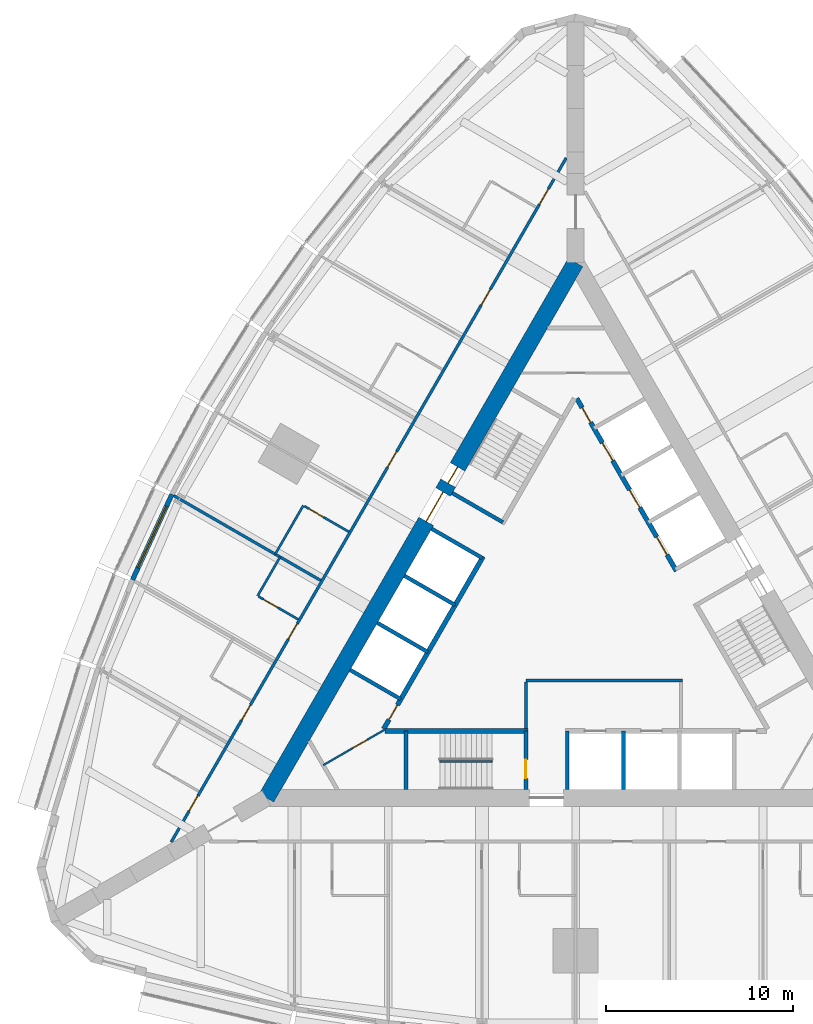
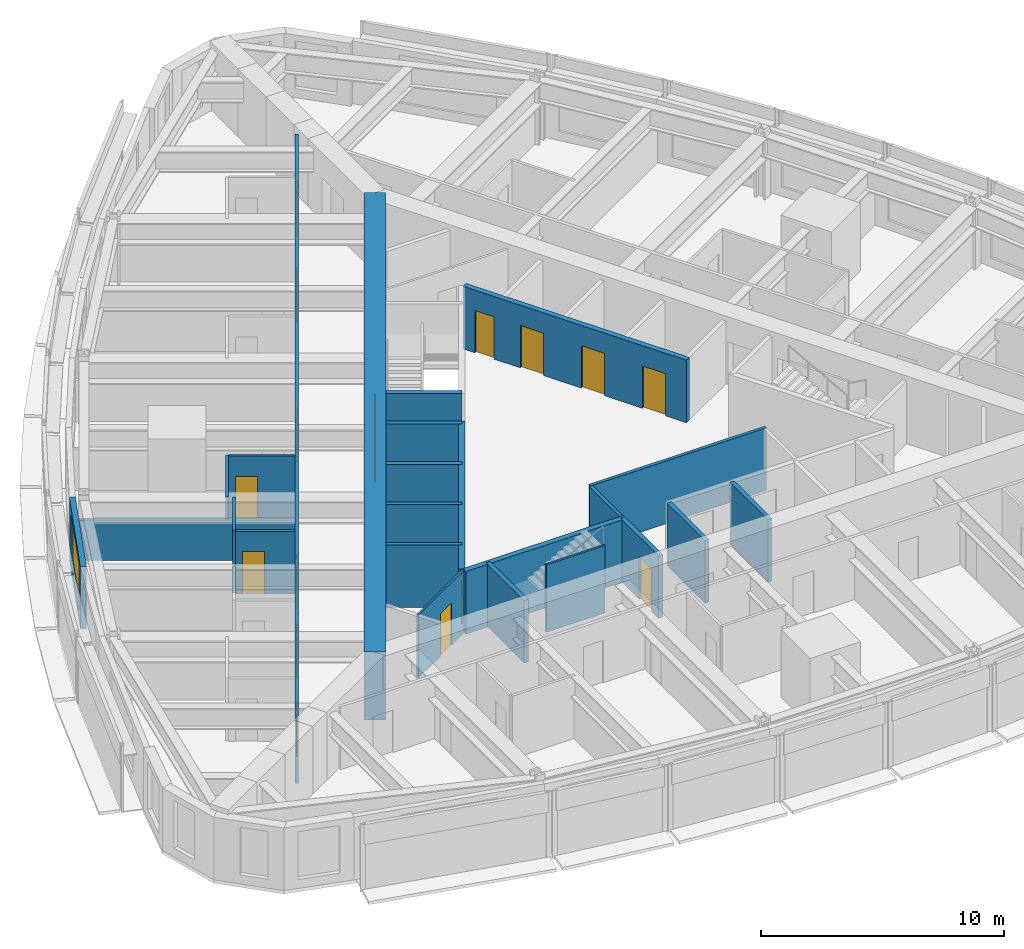
# One storey, part 9 of 14: 24 walls, 17 doors, 1 window, 18 openings.
"""IFC4 building model written with IfcOpenShell, lengths in metres."""

from ifc_helpers import new_model, si_unit, direction, frame, frame_2d, origin, place, context, subcontext, project, spatial, rectangle, extrude, material, layer, layer_set, type_object, element, fill, save


model = new_model("IFC4")

# Units and contexts
model_context = context("Model", 3, precision=1e-05, world=origin(), true_north=direction((0.0, 1.0)))
body_context = subcontext(model_context, "Body", "Model", "MODEL_VIEW")
ifc_project = project(units=[si_unit("LENGTHUNIT", "METRE"), si_unit("AREAUNIT", "SQUARE_METRE"), si_unit("VOLUMEUNIT", "CUBIC_METRE"), si_unit("PLANEANGLEUNIT", "RADIAN"), si_unit("MASSUNIT", "GRAM", prefix="KILO")], contexts=[model_context])

# Site, building, storey
site_placement = place(None, origin())
site = spatial("IfcSite", under=ifc_project, at=site_placement, CompositionType="ELEMENT")
building_placement = place(site_placement, origin())
building = spatial("IfcBuilding", under=site, at=building_placement, Name="Trikona Tower", CompositionType="ELEMENT")
storey_placement = place(building_placement, frame((0.0, 0.0, 99.89990234375)))
storey = spatial("IfcBuildingStorey", under=building, at=storey_placement, Name="L26", CompositionType="ELEMENT", Elevation=99.89990234375)

# Wall
ifc_material_1 = material(Name="Metal stud and cement board", Category="gypsum")
ifc_layer_1 = layer(ifc_material_1, 0.1201171875)
ifc_layer_set_1 = layer_set([ifc_layer_1], Name="Bathroom wall 120")
wall_type_1 = type_object("IfcWallType", Name="Bathroom wall 120", PredefinedType="PLUMBINGWALL", material=ifc_layer_set_1)
wall_1_placement = place(storey_placement, frame((-14.53271484375, 6.0810546875, 0.0), z_axis=(0.0, 0.0, 1.0), x_axis=(-0.499990139034, -0.866031096941, 0.0)))
element("IfcWall", 1, at=wall_1_placement, inside=storey, type_object=wall_type_1, Name="Bathroom wall 2611.1", PredefinedType="PLUMBINGWALL", context=body_context, shape_type="SweptSolid", body=[
    extrude(rectangle(XDim=3.0, YDim=0.1201171875, at=frame_2d((1.5, 0.0))), origin(), (0.0, 0.0, 1.0), 3.150146484375),
])

# Wall, opening, door
wall_2_placement = place(storey_placement, frame((-12.10791015625, 4.68115234375, 0.0), z_axis=(0.0, 0.0, 1.0), x_axis=(-0.866035715982, 0.499982138324, 0.0)))
wall_2 = element("IfcWall", 2, at=wall_2_placement, inside=storey, type_object=wall_type_1, Name="Bathroom wall 2611.1", PredefinedType="PLUMBINGWALL", context=body_context, shape_type="SweptSolid", body=[
    extrude(rectangle(XDim=2.73974609375, YDim=0.1201171875, at=frame_2d((1.369873046875, 0.0))), origin(), (0.0, 0.0, 1.0), 3.150146484375),
])
opening_1_placement = place(wall_2_placement, frame((1.550048828125, 0.0, 0.0)))
opening_1 = element("IfcOpeningElement", 3, at=opening_1_placement, cuts=wall_2, Name="Opening D2", PredefinedType="OPENING", context=body_context, shape_type="SweptSolid", body=[
    extrude(rectangle(XDim=0.89990234375, YDim=2.1298828125, at=frame_2d((0.449951171875, 1.06494140625))), frame((0.0, 0.070068359375, 0.0), z_axis=(0.0, -1.0, 0.0), x_axis=(1.0, 0.0, 0.0)), (0.0, 0.0, 1.0), 0.14013671875),
])
ifc_material_2 = material(Name="Steel door frame with solid-core timber leaf", Category="steel")
door_type_1 = type_object("IfcDoorType", Name="Bathroom door 900x2130", OperationType="SLIDING_TO_LEFT", PredefinedType="DOOR", material=ifc_material_2)
door_1_placement = place(opening_1_placement, origin())
door_1 = element("IfcDoor", 4, at=door_1_placement, inside=storey, type_object=door_type_1, Name="Bathroom door 2611.1", OperationType="SLIDING_TO_LEFT", OverallHeight=2.1298828125, OverallWidth=0.89990234375, PredefinedType="DOOR", context=body_context, shape_type="SweptSolid", body=[
    extrude(rectangle(XDim=0.89990234375, YDim=2.1298828125, at=frame_2d((0.449951171875, 1.06494140625))), frame((0.0, 0.02490234375, 0.0), z_axis=(0.0, -1.0, 0.0), x_axis=(1.0, 0.0, 0.0)), (0.0, 0.0, 1.0), 0.050048828125),
])
fill(opening_1, door_1)

# Wall
wall_3_placement = place(storey_placement, frame((-15.77294921875, 3.3330078125, 0.0), z_axis=(0.0, 0.0, 1.0), x_axis=(-0.500001309137, -0.866024647952, 0.0)))
element("IfcWall", 5, at=wall_3_placement, inside=storey, type_object=wall_type_1, Name="Bathroom wall 2612", PredefinedType="PLUMBINGWALL", context=body_context, shape_type="SweptSolid", body=[
    extrude(rectangle(XDim=2.39990234375, YDim=0.1201171875, at=frame_2d((1.199951171875, 0.0))), origin(), (0.0, 0.0, 1.0), 3.150146484375),
])

# Wall, opening, door
wall_4_placement = place(storey_placement, frame((-14.807861328125, 0.004638671875, 0.0), z_axis=(0.0, 0.0, 1.0), x_axis=(-0.866023955769, 0.500002508028, 0.0)))
wall_4 = element("IfcWall", 6, at=wall_4_placement, inside=storey, type_object=wall_type_1, Name="Bathroom wall 2612", PredefinedType="PLUMBINGWALL", context=body_context, shape_type="SweptSolid", body=[
    extrude(rectangle(XDim=2.43994140625, YDim=0.1201171875, at=frame_2d((1.219970703125, 0.0))), origin(), (0.0, 0.0, 1.0), 3.150146484375),
])
opening_2_placement = place(wall_4_placement, frame((1.25, 0.0, 0.0)))
opening_2 = element("IfcOpeningElement", 7, at=opening_2_placement, cuts=wall_4, Name="Opening D2", PredefinedType="OPENING", context=body_context, shape_type="SweptSolid", body=[
    extrude(rectangle(XDim=0.89990234375, YDim=2.1298828125, at=frame_2d((0.449951171875, 1.06494140625))), frame((0.0, 0.070068359375, 0.0), z_axis=(0.0, -1.0, 0.0), x_axis=(1.0, 0.0, 0.0)), (0.0, 0.0, 1.0), 0.14013671875),
])
door_2_placement = place(opening_2_placement, origin())
door_2 = element("IfcDoor", 8, at=door_2_placement, inside=storey, type_object=door_type_1, Name="Bathroom door 2612", OperationType="SLIDING_TO_LEFT", OverallHeight=2.1298828125, OverallWidth=0.89990234375, PredefinedType="DOOR", context=body_context, shape_type="SweptSolid", body=[
    extrude(rectangle(XDim=0.89990234375, YDim=2.1298828125, at=frame_2d((0.449951171875, 1.06494140625))), frame((0.0, 0.02490234375, 0.0), z_axis=(0.0, -1.0, 0.0), x_axis=(1.0, 0.0, 0.0)), (0.0, 0.0, 1.0), 0.050048828125),
])
fill(opening_2, door_2)

# Wall, openings, doors
ifc_material_3 = material(Name="Concrete f'c 10000 psi", Category="concrete")
ifc_layer_2 = layer(ifc_material_3, 0.89990234375)
ifc_layer_set_2 = layer_set([ifc_layer_2], Name="Core wall 900")
wall_type_2 = type_object("IfcWallType", Name="Core wall 900", PredefinedType="SHEAR", material=ifc_layer_set_2)
wall_5_placement = place(storey_placement, frame((0.0, 19.052490234375, 0.0), z_axis=(0.0, 0.0, 1.0), x_axis=(-0.499999749417, -0.866025548458, 0.0)))
wall_5 = element("IfcWall", 9, at=wall_5_placement, inside=storey, type_object=wall_type_2, Name="Core wall C", PredefinedType="SHEAR", context=body_context, shape_type="SweptSolid", body=[
    extrude(rectangle(XDim=33.0, YDim=0.89990234375, at=frame_2d((16.5, 0.0))), origin(), (0.0, 0.0, 1.0), 3.400146484375),
])
opening_3_placement = place(wall_5_placement, frame((14.14990234375, 0.0, 0.0)))
opening_3 = element("IfcOpeningElement", 10, at=opening_3_placement, cuts=wall_5, Name="Opening D6", PredefinedType="OPENING", context=body_context, shape_type="SweptSolid", body=[
    extrude(rectangle(XDim=1.800048828125, YDim=2.1298828125, at=frame_2d((0.89990234375, 1.06494140625))), frame((0.0, 0.4599609375, 0.0), z_axis=(0.0, -1.0, 0.0), x_axis=(1.0, 0.0, 0.0)), (0.0, 0.0, 1.0), 0.919921875),
])
opening_4_placement = place(wall_5_placement, frame((12.60009765625, 0.0, 0.0)))
opening_4 = element("IfcOpeningElement", 11, at=opening_4_placement, cuts=wall_5, Name="Opening D5", PredefinedType="OPENING", context=body_context, shape_type="SweptSolid", body=[
    extrude(rectangle(XDim=1.0, YDim=2.1298828125, at=frame_2d((0.5, 1.06494140625))), frame((0.0, 0.4599609375, 0.0), z_axis=(0.0, -1.0, 0.0), x_axis=(1.0, 0.0, 0.0)), (0.0, 0.0, 1.0), 0.919921875),
])
ifc_material_4 = material(Name="Hollow metal door and frame", Category="steel")
door_type_2 = type_object("IfcDoorType", Name="Lobby door pair 1800x2130", OperationType="DOUBLE_DOOR_SINGLE_SWING", PredefinedType="DOOR", material=ifc_material_4)
door_3_placement = place(opening_3_placement, origin())
door_3 = element("IfcDoor", 12, at=door_3_placement, inside=storey, type_object=door_type_2, Name="Lift lobby door C", OperationType="DOUBLE_DOOR_SINGLE_SWING", OverallHeight=2.1298828125, OverallWidth=1.800048828125, PredefinedType="DOOR", context=body_context, shape_type="SweptSolid", body=[
    extrude(rectangle(XDim=1.800048828125, YDim=2.1298828125, at=frame_2d((0.89990234375, 1.06494140625))), frame((0.0, 0.02490234375, 0.0), z_axis=(0.0, -1.0, 0.0), x_axis=(1.0, 0.0, 0.0)), (0.0, 0.0, 1.0), 0.050048828125),
])
fill(opening_3, door_3)
ifc_material_5 = material(Name="Hollow metal door and frame", Category="steel")
door_type_3 = type_object("IfcDoorType", Name="Stair door 1000x2130", OperationType="SINGLE_SWING_LEFT", PredefinedType="DOOR", material=ifc_material_5)
door_4_placement = place(opening_4_placement, origin())
door_4 = element("IfcDoor", 13, at=door_4_placement, inside=storey, type_object=door_type_3, Name="Stair C door", OperationType="SINGLE_SWING_RIGHT", OverallHeight=2.1298828125, OverallWidth=1.0, PredefinedType="DOOR", context=body_context, shape_type="SweptSolid", body=[
    extrude(rectangle(XDim=1.0, YDim=2.1298828125, at=frame_2d((0.5, 1.06494140625))), frame((0.0, 0.02490234375, 0.0), z_axis=(0.0, -1.0, 0.0), x_axis=(1.0, 0.0, 0.0)), (0.0, 0.0, 1.0), 0.050048828125),
])
fill(opening_4, door_4)

ifc_material_6 = material(Name="Metal stud and gypsum board, 1-hour", Category="gypsum")
ifc_layer_3 = layer(ifc_material_6, 0.14990234375)
ifc_layer_set_3 = layer_set([ifc_layer_3], Name="Corridor wall 150")
wall_type_3 = type_object("IfcWallType", Name="Corridor wall 150", PredefinedType="PARTITIONING", material=ifc_layer_set_3)
wall_6_placement = place(storey_placement, frame((-0.5, 24.636474609375, 0.0), z_axis=(0.0, 0.0, 1.0), x_axis=(-0.500001915564, -0.86602429783, 0.0)))
wall_6 = element("IfcWall", 14, at=wall_6_placement, inside=storey, type_object=wall_type_3, Name="Corridor wall L26-3", PredefinedType="PARTITIONING", context=body_context, shape_type="SweptSolid", body=[
    extrude(rectangle(XDim=42.171630859375, YDim=0.14990234375, at=frame_2d((21.0859375, 0.0))), origin(), (0.0, 0.0, 1.0), 3.150146484375),
])
opening_5_placement = place(wall_6_placement, frame((1.910888671875, 0.0, 0.0)))
opening_5 = element("IfcOpeningElement", 15, at=opening_5_placement, cuts=wall_6, Name="Opening D1", PredefinedType="OPENING", context=body_context, shape_type="SweptSolid", body=[
    extrude(rectangle(XDim=0.949951171875, YDim=2.1298828125, at=frame_2d((0.47509765625, 1.06494140625))), frame((0.0, 0.0849609375, 0.0), z_axis=(0.0, -1.0, 0.0), x_axis=(1.0, 0.0, 0.0)), (0.0, 0.0, 1.0), 0.169921875),
])
opening_6_placement = place(wall_6_placement, frame((8.11083984375, 0.0, 0.0)))
opening_6 = element("IfcOpeningElement", 16, at=opening_6_placement, cuts=wall_6, Name="Opening D1", PredefinedType="OPENING", context=body_context, shape_type="SweptSolid", body=[
    extrude(rectangle(XDim=0.949951171875, YDim=2.1298828125, at=frame_2d((0.47509765625, 1.06494140625))), frame((0.0, 0.0849609375, 0.0), z_axis=(0.0, -1.0, 0.0), x_axis=(1.0, 0.0, 0.0)), (0.0, 0.0, 1.0), 0.169921875),
])
opening_7_placement = place(wall_6_placement, frame((18.11083984375, 0.0, 0.0)))
opening_7 = element("IfcOpeningElement", 17, at=opening_7_placement, cuts=wall_6, Name="Opening D1", PredefinedType="OPENING", context=body_context, shape_type="SweptSolid", body=[
    extrude(rectangle(XDim=0.949951171875, YDim=2.1298828125, at=frame_2d((0.47509765625, 1.06494140625))), frame((0.0, 0.0849609375, 0.0), z_axis=(0.0, -1.0, 0.0), x_axis=(1.0, 0.0, 0.0)), (0.0, 0.0, 1.0), 0.169921875),
])
opening_8_placement = place(wall_6_placement, frame((28.7109375, 0.0, 0.0)))
opening_8 = element("IfcOpeningElement", 18, at=opening_8_placement, cuts=wall_6, Name="Opening D1", PredefinedType="OPENING", context=body_context, shape_type="SweptSolid", body=[
    extrude(rectangle(XDim=0.949951171875, YDim=2.1298828125, at=frame_2d((0.47509765625, 1.06494140625))), frame((0.0, 0.0849609375, 0.0), z_axis=(0.0, -1.0, 0.0), x_axis=(1.0, 0.0, 0.0)), (0.0, 0.0, 1.0), 0.169921875),
])
opening_9_placement = place(wall_6_placement, frame((33.7109375, 0.0, 0.0)))
opening_9 = element("IfcOpeningElement", 19, at=opening_9_placement, cuts=wall_6, Name="Opening D1", PredefinedType="OPENING", context=body_context, shape_type="SweptSolid", body=[
    extrude(rectangle(XDim=0.949951171875, YDim=2.1298828125, at=frame_2d((0.47509765625, 1.06494140625))), frame((0.0, 0.0849609375, 0.0), z_axis=(0.0, -1.0, 0.0), x_axis=(1.0, 0.0, 0.0)), (0.0, 0.0, 1.0), 0.169921875),
])
opening_10_placement = place(wall_6_placement, frame((39.310791015625, 0.0, 0.0)))
opening_10 = element("IfcOpeningElement", 20, at=opening_10_placement, cuts=wall_6, Name="Opening D1", PredefinedType="OPENING", context=body_context, shape_type="SweptSolid", body=[
    extrude(rectangle(XDim=0.949951171875, YDim=2.1298828125, at=frame_2d((0.47509765625, 1.06494140625))), frame((0.0, 0.0849609375, 0.0), z_axis=(0.0, -1.0, 0.0), x_axis=(1.0, 0.0, 0.0)), (0.0, 0.0, 1.0), 0.169921875),
])
ifc_material_7 = material(Name="Steel door frame with solid-core timber leaf", Category="steel")
door_type_4 = type_object("IfcDoorType", Name="Guest room door 950x2130", OperationType="SINGLE_SWING_LEFT", PredefinedType="DOOR", material=ifc_material_7)
door_5_placement = place(opening_5_placement, origin())
door_5 = element("IfcDoor", 21, at=door_5_placement, inside=storey, type_object=door_type_4, Name="Room door 2609", OperationType="SINGLE_SWING_LEFT", OverallHeight=2.1298828125, OverallWidth=0.949951171875, PredefinedType="DOOR", context=body_context, shape_type="SweptSolid", body=[
    extrude(rectangle(XDim=0.949951171875, YDim=2.1298828125, at=frame_2d((0.47509765625, 1.06494140625))), frame((0.0, 0.02490234375, 0.0), z_axis=(0.0, -1.0, 0.0), x_axis=(1.0, 0.0, 0.0)), (0.0, 0.0, 1.0), 0.050048828125),
])
fill(opening_5, door_5)
door_6_placement = place(opening_6_placement, origin())
door_6 = element("IfcDoor", 22, at=door_6_placement, inside=storey, type_object=door_type_4, Name="Room door 2610", OperationType="SINGLE_SWING_RIGHT", OverallHeight=2.1298828125, OverallWidth=0.949951171875, PredefinedType="DOOR", context=body_context, shape_type="SweptSolid", body=[
    extrude(rectangle(XDim=0.949951171875, YDim=2.1298828125, at=frame_2d((0.47509765625, 1.06494140625))), frame((0.0, 0.02490234375, 0.0), z_axis=(0.0, -1.0, 0.0), x_axis=(1.0, 0.0, 0.0)), (0.0, 0.0, 1.0), 0.050048828125),
])
fill(opening_6, door_6)
door_7_placement = place(opening_7_placement, origin())
door_7 = element("IfcDoor", 23, at=door_7_placement, inside=storey, type_object=door_type_4, Name="Room door 2611", OperationType="SINGLE_SWING_LEFT", OverallHeight=2.1298828125, OverallWidth=0.949951171875, PredefinedType="DOOR", context=body_context, shape_type="SweptSolid", body=[
    extrude(rectangle(XDim=0.949951171875, YDim=2.1298828125, at=frame_2d((0.47509765625, 1.06494140625))), frame((0.0, 0.02490234375, 0.0), z_axis=(0.0, -1.0, 0.0), x_axis=(1.0, 0.0, 0.0)), (0.0, 0.0, 1.0), 0.050048828125),
])
fill(opening_7, door_7)
door_8_placement = place(opening_8_placement, origin())
door_8 = element("IfcDoor", 24, at=door_8_placement, inside=storey, type_object=door_type_4, Name="Room door 2612", OperationType="SINGLE_SWING_RIGHT", OverallHeight=2.1298828125, OverallWidth=0.949951171875, PredefinedType="DOOR", context=body_context, shape_type="SweptSolid", body=[
    extrude(rectangle(XDim=0.949951171875, YDim=2.1298828125, at=frame_2d((0.47509765625, 1.06494140625))), frame((0.0, 0.02490234375, 0.0), z_axis=(0.0, -1.0, 0.0), x_axis=(1.0, 0.0, 0.0)), (0.0, 0.0, 1.0), 0.050048828125),
])
fill(opening_8, door_8)
door_9_placement = place(opening_9_placement, origin())
door_9 = element("IfcDoor", 25, at=door_9_placement, inside=storey, type_object=door_type_4, Name="Room door 2613", OperationType="SINGLE_SWING_LEFT", OverallHeight=2.1298828125, OverallWidth=0.949951171875, PredefinedType="DOOR", context=body_context, shape_type="SweptSolid", body=[
    extrude(rectangle(XDim=0.949951171875, YDim=2.1298828125, at=frame_2d((0.47509765625, 1.06494140625))), frame((0.0, 0.02490234375, 0.0), z_axis=(0.0, -1.0, 0.0), x_axis=(1.0, 0.0, 0.0)), (0.0, 0.0, 1.0), 0.050048828125),
])
fill(opening_9, door_9)
door_10_placement = place(opening_10_placement, origin())
door_10 = element("IfcDoor", 26, at=door_10_placement, inside=storey, type_object=door_type_4, Name="Room door 2614", OperationType="SINGLE_SWING_RIGHT", OverallHeight=2.1298828125, OverallWidth=0.949951171875, PredefinedType="DOOR", context=body_context, shape_type="SweptSolid", body=[
    extrude(rectangle(XDim=0.949951171875, YDim=2.1298828125, at=frame_2d((0.47509765625, 1.06494140625))), frame((0.0, 0.02490234375, 0.0), z_axis=(0.0, -1.0, 0.0), x_axis=(1.0, 0.0, 0.0)), (0.0, 0.0, 1.0), 0.050048828125),
])
fill(opening_10, door_10)

# Wall
ifc_material_8 = material(Name="Concrete f'c 8000 psi", Category="concrete")
ifc_layer_4 = layer(ifc_material_8, 0.25)
ifc_layer_set_4 = layer_set([ifc_layer_4], Name="Hub wall 250")
wall_type_4 = type_object("IfcWallType", Name="Hub wall 250", PredefinedType="SOLIDWALL", material=ifc_layer_set_4)
wall_7_placement = place(storey_placement, frame((-10.182861328125, -5.951416015625, 0.0), z_axis=(0.0, 0.0, 1.0), x_axis=(1.0, 0.0, 0.0)))
element("IfcWall", 27, at=wall_7_placement, inside=storey, type_object=wall_type_4, Name="Lift lobby wall A1", PredefinedType="SOLIDWALL", context=body_context, shape_type="SweptSolid", body=[
    extrude(rectangle(XDim=7.6328125, YDim=0.25, at=frame_2d((3.81640625, 0.0))), origin(), (0.0, 0.0, 1.0), 3.150146484375),
])

# Wall, openings, doors
wall_8_placement = place(storey_placement, frame((5.37890625, 2.5859375, 0.0), z_axis=(0.0, 0.0, 1.0), x_axis=(-0.500001375892, 0.866024609411, 0.0)))
wall_8 = element("IfcWall", 28, at=wall_8_placement, inside=storey, type_object=wall_type_4, Name="Lift lobby wall B2", PredefinedType="SOLIDWALL", context=body_context, shape_type="SweptSolid", body=[
    extrude(rectangle(XDim=10.6328125, YDim=0.25, at=frame_2d((5.31640625, 0.0))), origin(), (0.0, 0.0, 1.0), 3.150146484375),
])
opening_11_placement = place(wall_8_placement, frame((9.1640625, 0.0, 0.0)))
opening_11 = element("IfcOpeningElement", 29, at=opening_11_placement, cuts=wall_8, Name="Opening D14", PredefinedType="OPENING", context=body_context, shape_type="SweptSolid", body=[
    extrude(rectangle(XDim=0.89990234375, YDim=2.1298828125, at=frame_2d((0.449951171875, 1.06494140625))), frame((0.0, 0.135009765625, 0.0), z_axis=(0.0, -1.0, 0.0), x_axis=(1.0, 0.0, 0.0)), (0.0, 0.0, 1.0), 0.27001953125),
])
opening_12_placement = place(wall_8_placement, frame((1.0, 0.0, 0.0)))
opening_12 = element("IfcOpeningElement", 30, at=opening_12_placement, cuts=wall_8, Name="Opening LD", PredefinedType="OPENING", context=body_context, shape_type="SweptSolid", body=[
    extrude(rectangle(XDim=1.10009765625, YDim=2.1298828125, at=frame_2d((0.550048828125, 1.06494140625))), frame((0.0, 0.135009765625, 0.0), z_axis=(0.0, -1.0, 0.0), x_axis=(1.0, 0.0, 0.0)), (0.0, 0.0, 1.0), 0.27001953125),
])
opening_13_placement = place(wall_8_placement, frame((3.89990234375, 0.0, 0.0)))
opening_13 = element("IfcOpeningElement", 31, at=opening_13_placement, cuts=wall_8, Name="Opening LD", PredefinedType="OPENING", context=body_context, shape_type="SweptSolid", body=[
    extrude(rectangle(XDim=1.10009765625, YDim=2.1298828125, at=frame_2d((0.550048828125, 1.06494140625))), frame((0.0, 0.135009765625, 0.0), z_axis=(0.0, -1.0, 0.0), x_axis=(1.0, 0.0, 0.0)), (0.0, 0.0, 1.0), 0.27001953125),
])
opening_14_placement = place(wall_8_placement, frame((6.800048828125, 0.0, 0.0)))
opening_14 = element("IfcOpeningElement", 32, at=opening_14_placement, cuts=wall_8, Name="Opening LD", PredefinedType="OPENING", context=body_context, shape_type="SweptSolid", body=[
    extrude(rectangle(XDim=1.10009765625, YDim=2.1298828125, at=frame_2d((0.550048828125, 1.06494140625))), frame((0.0, 0.135009765625, 0.0), z_axis=(0.0, -1.0, 0.0), x_axis=(1.0, 0.0, 0.0)), (0.0, 0.0, 1.0), 0.27001953125),
])
ifc_material_9 = material(Name="Stainless steel lift landing door", Category="steel")
door_type_5 = type_object("IfcDoorType", Name="Lift landing door 1100x2130", OperationType="DOUBLE_DOOR_SLIDING", PredefinedType="USERDEFINED", material=ifc_material_9)
door_11_placement = place(opening_12_placement, origin())
door_11 = element("IfcDoor", 33, at=door_11_placement, inside=storey, type_object=door_type_5, Name="Lift landing door L1-1", ObjectType="LIFT LANDING DOOR", OperationType="DOUBLE_DOOR_SLIDING", OverallHeight=2.1298828125, OverallWidth=1.10009765625, PredefinedType="USERDEFINED", context=body_context, shape_type="SweptSolid", body=[
    extrude(rectangle(XDim=1.10009765625, YDim=2.1298828125, at=frame_2d((0.550048828125, 1.06494140625))), frame((0.0, 0.02490234375, 0.0), z_axis=(0.0, -1.0, 0.0), x_axis=(1.0, 0.0, 0.0)), (0.0, 0.0, 1.0), 0.050048828125),
])
fill(opening_12, door_11)
door_12_placement = place(opening_13_placement, origin())
door_12 = element("IfcDoor", 34, at=door_12_placement, inside=storey, type_object=door_type_5, Name="Lift landing door L1-2", ObjectType="LIFT LANDING DOOR", OperationType="DOUBLE_DOOR_SLIDING", OverallHeight=2.1298828125, OverallWidth=1.10009765625, PredefinedType="USERDEFINED", context=body_context, shape_type="SweptSolid", body=[
    extrude(rectangle(XDim=1.10009765625, YDim=2.1298828125, at=frame_2d((0.550048828125, 1.06494140625))), frame((0.0, 0.02490234375, 0.0), z_axis=(0.0, -1.0, 0.0), x_axis=(1.0, 0.0, 0.0)), (0.0, 0.0, 1.0), 0.050048828125),
])
fill(opening_13, door_12)
door_13_placement = place(opening_14_placement, origin())
door_13 = element("IfcDoor", 35, at=door_13_placement, inside=storey, type_object=door_type_5, Name="Lift landing door L1-3", ObjectType="LIFT LANDING DOOR", OperationType="DOUBLE_DOOR_SLIDING", OverallHeight=2.1298828125, OverallWidth=1.10009765625, PredefinedType="USERDEFINED", context=body_context, shape_type="SweptSolid", body=[
    extrude(rectangle(XDim=1.10009765625, YDim=2.1298828125, at=frame_2d((0.550048828125, 1.06494140625))), frame((0.0, 0.02490234375, 0.0), z_axis=(0.0, -1.0, 0.0), x_axis=(1.0, 0.0, 0.0)), (0.0, 0.0, 1.0), 0.050048828125),
])
fill(opening_14, door_13)
ifc_material_10 = material(Name="Hollow metal door and frame", Category="steel")
door_type_6 = type_object("IfcDoorType", Name="Service room door 900x2130", OperationType="SINGLE_SWING_LEFT", PredefinedType="DOOR", material=ifc_material_10)
door_14_placement = place(opening_11_placement, origin())
door_14 = element("IfcDoor", 36, at=door_14_placement, inside=storey, type_object=door_type_6, Name="Door Ice and vending ICE", OperationType="SINGLE_SWING_RIGHT", OverallHeight=2.1298828125, OverallWidth=0.89990234375, PredefinedType="DOOR", context=body_context, shape_type="SweptSolid", body=[
    extrude(rectangle(XDim=0.89990234375, YDim=2.1298828125, at=frame_2d((0.449951171875, 1.06494140625))), frame((0.0, 0.02490234375, 0.0), z_axis=(0.0, -1.0, 0.0), x_axis=(1.0, 0.0, 0.0)), (0.0, 0.0, 1.0), 0.050048828125),
])
fill(opening_11, door_14)

# Wall, opening, door
wall_9_placement = place(storey_placement, frame((-4.928955078125, 3.365478515625, 0.0), z_axis=(0.0, 0.0, 1.0), x_axis=(-0.499991433582, -0.866030349552, 0.0)))
wall_9 = element("IfcWall", 37, at=wall_9_placement, inside=storey, type_object=wall_type_4, Name="Lift lobby wall C2", PredefinedType="SOLIDWALL", context=body_context, shape_type="SweptSolid", body=[
    extrude(rectangle(XDim=10.633056640625, YDim=0.25, at=frame_2d((5.31640625, 0.0))), origin(), (0.0, 0.0, 1.0), 3.150146484375),
])
opening_15_placement = place(wall_9_placement, frame((9.1640625, 0.0, 0.0)))
opening_15 = element("IfcOpeningElement", 38, at=opening_15_placement, cuts=wall_9, Name="Opening D14", PredefinedType="OPENING", context=body_context, shape_type="SweptSolid", body=[
    extrude(rectangle(XDim=0.89990234375, YDim=2.1298828125, at=frame_2d((0.449951171875, 1.06494140625))), frame((0.0, 0.135009765625, 0.0), z_axis=(0.0, -1.0, 0.0), x_axis=(1.0, 0.0, 0.0)), (0.0, 0.0, 1.0), 0.27001953125),
])
door_15_placement = place(opening_15_placement, origin())
door_15 = element("IfcDoor", 39, at=door_15_placement, inside=storey, type_object=door_type_6, Name="Door Linen store LIN", OperationType="SINGLE_SWING_RIGHT", OverallHeight=2.1298828125, OverallWidth=0.89990234375, PredefinedType="DOOR", context=body_context, shape_type="SweptSolid", body=[
    extrude(rectangle(XDim=0.89990234375, YDim=2.1298828125, at=frame_2d((0.449951171875, 1.06494140625))), frame((0.0, 0.02490234375, 0.0), z_axis=(0.0, -1.0, 0.0), x_axis=(1.0, 0.0, 0.0)), (0.0, 0.0, 1.0), 0.050048828125),
])
fill(opening_15, door_15)

# Wall, opening, window
ifc_material_11 = material(Name="Insulated precast concrete spandrel panel", Category="concrete")
ifc_layer_5 = layer(ifc_material_11, 0.25)
ifc_layer_set_5 = layer_set([ifc_layer_5], Name="Inner skin wall 250")
wall_type_5 = type_object("IfcWallType", Name="Inner skin wall 250", PredefinedType="STANDARD", material=ifc_layer_set_5)
wall_10_placement = place(storey_placement, frame((-21.543212890625, 6.677734375, 0.0), z_axis=(0.0, 0.0, 1.0), x_axis=(-0.419203100754, -0.907892482796, 0.0)))
wall_10 = element("IfcWall", 40, at=wall_10_placement, inside=storey, type_object=wall_type_5, Name="External wall L26-29", PredefinedType="STANDARD", context=body_context, shape_type="SweptSolid", body=[
    extrude(rectangle(XDim=5.020751953125, YDim=0.25, at=frame_2d((2.51025390625, 0.0))), origin(), (0.0, 0.0, 1.0), 3.150146484375),
])
opening_16_placement = place(wall_10_placement, frame((0.71044921875, 0.0, 0.449951171875)))
opening_16 = element("IfcOpeningElement", 41, at=opening_16_placement, cuts=wall_10, Name="Opening W3624", PredefinedType="OPENING", context=body_context, shape_type="SweptSolid", body=[
    extrude(rectangle(XDim=3.60009765625, YDim=2.39990234375, at=frame_2d((1.800048828125, 1.199951171875))), frame((0.0, 0.135009765625, 0.0), z_axis=(0.0, -1.0, 0.0), x_axis=(1.0, 0.0, 0.0)), (0.0, 0.0, 1.0), 0.27001953125),
])
ifc_material_12 = material(Name="Aluminium-framed double glazing", Category="aluminium")
window_type = type_object("IfcWindowType", Name="Window 3600x2400", PartitioningType="SINGLE_PANEL", PredefinedType="WINDOW", material=ifc_material_12)
window_placement = place(opening_16_placement, origin())
window = element("IfcWindow", 42, at=window_placement, inside=storey, type_object=window_type, Name="Window 2612", OverallHeight=2.39990234375, OverallWidth=3.60009765625, PartitioningType="SINGLE_PANEL", PredefinedType="WINDOW", context=body_context, shape_type="SweptSolid", body=[
    extrude(rectangle(XDim=3.60009765625, YDim=2.39990234375, at=frame_2d((1.800048828125, 1.199951171875))), frame((0.0, 0.030029296875, 0.0), z_axis=(0.0, -1.0, 0.0), x_axis=(1.0, 0.0, 0.0)), (0.0, 0.0, 1.0), 0.06005859375),
])
fill(opening_16, window)

# Walls
ifc_material_13 = material(Name="Metal stud and gypsum board, 2-hour shaft wall", Category="gypsum")
ifc_layer_6 = layer(ifc_material_13, 0.14990234375)
ifc_layer_set_6 = layer_set([ifc_layer_6], Name="Lobby wall 150")
wall_type_6 = type_object("IfcWallType", Name="Lobby wall 150", PredefinedType="PARTITIONING", material=ifc_layer_set_6)
wall_11_placement = place(storey_placement, frame((-2.64990234375, -3.251220703125, 0.0), z_axis=(0.0, 0.0, 1.0), x_axis=(1.0, 0.0, 0.0)))
element("IfcWall", 43, at=wall_11_placement, inside=storey, type_object=wall_type_6, Name="Fire service lift lobby wall 1", PredefinedType="PARTITIONING", context=body_context, shape_type="SweptSolid", body=[
    extrude(rectangle(XDim=8.349853515625, YDim=0.14990234375, at=frame_2d((4.1748046875, 0.0))), origin(), (0.0, 0.0, 1.0), 3.150146484375),
])
wall_12_placement = place(storey_placement, frame((-2.64990234375, -5.826416015625, 0.0), z_axis=(0.0, 0.0, 1.0), x_axis=(0.0, 1.0, 0.0)))
element("IfcWall", 44, at=wall_12_placement, inside=storey, type_object=wall_type_6, Name="Fire service lift lobby wall 2", PredefinedType="PARTITIONING", context=body_context, shape_type="SweptSolid", body=[
    extrude(rectangle(XDim=2.5, YDim=0.14990234375, at=frame_2d((1.25, 0.0))), origin(), (0.0, 0.0, 1.0), 3.150146484375),
])
ifc_material_14 = material(Name="Metal stud and gypsum board, 1-hour acoustic", Category="gypsum")
ifc_layer_7 = layer(ifc_material_14, 0.14990234375)
ifc_layer_set_7 = layer_set([ifc_layer_7], Name="Party wall 150")
wall_type_7 = type_object("IfcWallType", Name="Party wall 150", PredefinedType="PARTITIONING", material=ifc_layer_set_7)
wall_13_placement = place(storey_placement, frame((-13.60791015625, 2.0830078125, 0.0), z_axis=(0.0, 0.0, 1.0), x_axis=(-0.866028232062, 0.499995101247, 0.0)))
element("IfcWall", 45, at=wall_13_placement, inside=storey, type_object=wall_type_7, Name="Partition L26 F3 u5", PredefinedType="PARTITIONING", context=body_context, shape_type="SweptSolid", body=[
    extrude(rectangle(XDim=9.04296875, YDim=0.14990234375, at=frame_2d((4.521484375, 0.0))), origin(), (0.0, 0.0, 1.0), 2.050048828125),
])
ifc_material_15 = material(Name="Concrete f'c 8000 psi", Category="concrete")
ifc_layer_8 = layer(ifc_material_15, 0.199951171875)
ifc_layer_set_8 = layer_set([ifc_layer_8], Name="Shaft wall 200")
wall_type_8 = type_object("IfcWallType", Name="Shaft wall 200", PredefinedType="SOLIDWALL", material=ifc_layer_set_8)
for number, where, z_axis, x_axis, name in (
    (46, (-0.449951171875, -5.951416015625, 0.0), (0.0, 0.0, 1.0), (0.0, -1.0, 0.0), "Shaft wall A3"),
    (47, (2.550048828125, -5.951416015625, 0.0), (0.0, 0.0, 1.0), (0.0, -1.0, 0.0), "Shaft wall A4"),
    (48, (-4.97900390625, 3.27880859375, 0.0), (0.0, 0.0, 1.0), (-0.866022959057, 0.500004234368, 0.0), "Shaft wall C3"),
    (49, (-6.428955078125, 0.767333984375, 0.0), (0.0, 0.0, 1.0), (-0.866022959057, 0.500004234368, 0.0), "Shaft wall C4"),
    (50, (-7.87890625, -1.744140625, 0.0), (0.0, 0.0, 1.0), (-0.866022959057, 0.500004234368, 0.0), "Shaft wall C5"),
    (51, (-9.3291015625, -4.255615234375, 0.0), (0.0, 0.0, 1.0), (-0.866022959057, 0.500004234368, 0.0), "Shaft wall C6"),
):
    element("IfcWall", number, at=place(storey_placement, frame(where, z_axis=z_axis, x_axis=x_axis)), inside=storey, type_object=wall_type_8, Name=name, PredefinedType="SOLIDWALL", context=body_context, shape_type="SweptSolid", body=[
        extrude(rectangle(XDim=3.125, YDim=0.199951171875, at=frame_2d((1.5625, 0.0))), origin(), (0.0, 0.0, 1.0), 3.150146484375),
    ])
ifc_material_16 = material(Name="Concrete f'c 8000 psi", Category="concrete")
ifc_layer_9 = layer(ifc_material_16, 0.199951171875)
ifc_layer_set_9 = layer_set([ifc_layer_9], Name="Shaft wall 200 load-bearing")
wall_type_9 = type_object("IfcWallType", Name="Shaft wall 200 load-bearing", PredefinedType="SOLIDWALL", material=ifc_layer_set_9)
wall_14_placement = place(storey_placement, frame((-9.050048828125, -5.951416015625, 0.0), z_axis=(0.0, 0.0, 1.0), x_axis=(0.0, -1.0, 0.0)))
element("IfcWall", 52, at=wall_14_placement, inside=storey, type_object=wall_type_9, Name="Shaft wall A1", PredefinedType="SOLIDWALL", context=body_context, shape_type="SweptSolid", body=[
    extrude(rectangle(XDim=3.125, YDim=0.199951171875, at=frame_2d((1.5625, 0.0))), origin(), (0.0, 0.0, 1.0), 3.150146484375),
])

# Wall, opening, door
wall_15_placement = place(storey_placement, frame((-2.64990234375, -5.951416015625, 0.0), z_axis=(0.0, 0.0, 1.0), x_axis=(0.0, -1.0, 0.0)))
wall_15 = element("IfcWall", 53, at=wall_15_placement, inside=storey, type_object=wall_type_9, Name="Shaft wall A2", PredefinedType="SOLIDWALL", context=body_context, shape_type="SweptSolid", body=[
    extrude(rectangle(XDim=3.125, YDim=0.199951171875, at=frame_2d((1.5625, 0.0))), origin(), (0.0, 0.0, 1.0), 3.150146484375),
])
opening_17_placement = place(wall_15_placement, frame((1.52490234375, 0.0, 0.0)))
opening_17 = element("IfcOpeningElement", 54, at=opening_17_placement, cuts=wall_15, Name="Opening D5", PredefinedType="OPENING", context=body_context, shape_type="SweptSolid", body=[
    extrude(rectangle(XDim=1.0, YDim=2.1298828125, at=frame_2d((0.5, 1.06494140625))), frame((0.0, 0.10986328125, 0.0), z_axis=(0.0, -1.0, 0.0), x_axis=(1.0, 0.0, 0.0)), (0.0, 0.0, 1.0), 0.219970703125),
])
door_16_placement = place(opening_17_placement, origin())
door_16 = element("IfcDoor", 55, at=door_16_placement, inside=storey, type_object=door_type_3, Name="Stair A door", OperationType="SINGLE_SWING_RIGHT", OverallHeight=2.1298828125, OverallWidth=1.0, PredefinedType="DOOR", context=body_context, shape_type="SweptSolid", body=[
    extrude(rectangle(XDim=1.0, YDim=2.1298828125, at=frame_2d((0.5, 1.06494140625))), frame((0.0, 0.02490234375, 0.0), z_axis=(0.0, -1.0, 0.0), x_axis=(1.0, 0.0, 0.0)), (0.0, 0.0, 1.0), 0.050048828125),
])
fill(opening_17, door_16)

# Walls
wall_16_placement = place(storey_placement, frame((-3.87890625, 5.18408203125, 0.0), z_axis=(0.0, 0.0, 1.0), x_axis=(-0.866022959057, 0.500004234368, 0.0)))
element("IfcWall", 56, at=wall_16_placement, inside=storey, type_object=wall_type_9, Name="Shaft wall C2", PredefinedType="SOLIDWALL", context=body_context, shape_type="SweptSolid", body=[
    extrude(rectangle(XDim=3.125, YDim=0.199951171875, at=frame_2d((1.5625, 0.0))), origin(), (0.0, 0.0, 1.0), 3.150146484375),
])
ifc_material_17 = material(Name="Concrete f'c 5000 psi", Category="concrete")
ifc_layer_10 = layer(ifc_material_17, 0.10009765625)
ifc_layer_set_10 = layer_set([ifc_layer_10], Name="Stair spine wall 100")
wall_type_10 = type_object("IfcWallType", Name="Stair spine wall 100", PredefinedType="SOLIDWALL", material=ifc_layer_set_10)
wall_17_placement = place(storey_placement, frame((-7.2470703125, -7.576416015625, 0.0), z_axis=(0.0, 0.0, 1.0), x_axis=(1.0, 0.0, 0.0)))
element("IfcWall", 57, at=wall_17_placement, inside=storey, type_object=wall_type_10, Name="Stair A spine wall L26", PredefinedType="SOLIDWALL", context=body_context, shape_type="SweptSolid", body=[
    extrude(rectangle(XDim=2.794189453125, YDim=0.10009765625, at=frame_2d((1.39697265625, 0.0))), origin(), (0.0, 0.0, 1.0), 3.400146484375),
])

# Wall, opening, door
ifc_material_18 = material(Name="Metal stud and gypsum board, acoustic", Category="gypsum")
ifc_layer_11 = layer(ifc_material_18, 0.10009765625)
ifc_layer_set_11 = layer_set([ifc_layer_11], Name="Suite partition 100")
wall_type_11 = type_object("IfcWallType", Name="Suite partition 100", PredefinedType="PARTITIONING", material=ifc_layer_set_11)
wall_18_placement = place(storey_placement, frame((-13.468994140625, -7.7763671875, 0.0), z_axis=(0.0, 0.0, 1.0), x_axis=(0.866021898093, 0.500006071987, 0.0)))
wall_18 = element("IfcWall", 58, at=wall_18_placement, inside=storey, type_object=wall_type_11, Name="Store partition L26-RS3", PredefinedType="PARTITIONING", context=body_context, shape_type="SweptSolid", body=[
    extrude(rectangle(XDim=3.775390625, YDim=0.10009765625, at=frame_2d((1.8876953125, 0.0))), origin(), (0.0, 0.0, 1.0), 3.150146484375),
])
opening_18_placement = place(wall_18_placement, frame((1.815185546875, 0.0, 0.0)))
opening_18 = element("IfcOpeningElement", 59, at=opening_18_placement, cuts=wall_18, Name="Opening D15", PredefinedType="OPENING", context=body_context, shape_type="SweptSolid", body=[
    extrude(rectangle(XDim=0.89990234375, YDim=2.1298828125, at=frame_2d((0.449951171875, 1.06494140625))), frame((0.0, 0.06005859375, 0.0), z_axis=(0.0, -1.0, 0.0), x_axis=(1.0, 0.0, 0.0)), (0.0, 0.0, 1.0), 0.1201171875),
])
ifc_material_19 = material(Name="Steel door frame with solid-core timber leaf", Category="steel")
door_type_7 = type_object("IfcDoorType", Name="Store door 900x2130", OperationType="SINGLE_SWING_LEFT", PredefinedType="DOOR", material=ifc_material_19)
door_17_placement = place(opening_18_placement, origin())
door_17 = element("IfcDoor", 60, at=door_17_placement, inside=storey, type_object=door_type_7, Name="Door Minibar store MBS", OperationType="SINGLE_SWING_RIGHT", OverallHeight=2.1298828125, OverallWidth=0.89990234375, PredefinedType="DOOR", context=body_context, shape_type="SweptSolid", body=[
    extrude(rectangle(XDim=0.89990234375, YDim=2.1298828125, at=frame_2d((0.449951171875, 1.06494140625))), frame((0.0, 0.02490234375, 0.0), z_axis=(0.0, -1.0, 0.0), x_axis=(1.0, 0.0, 0.0)), (0.0, 0.0, 1.0), 0.050048828125),
])
fill(opening_18, door_17)

save(model, "model.ifc")
